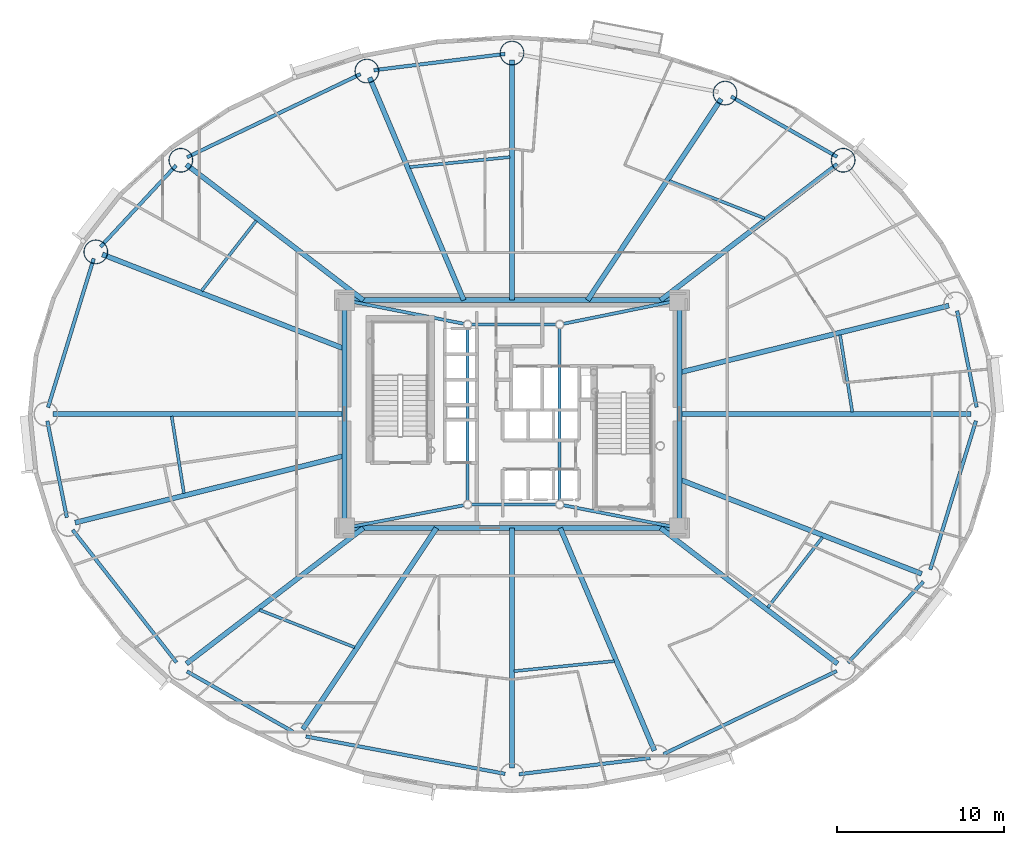
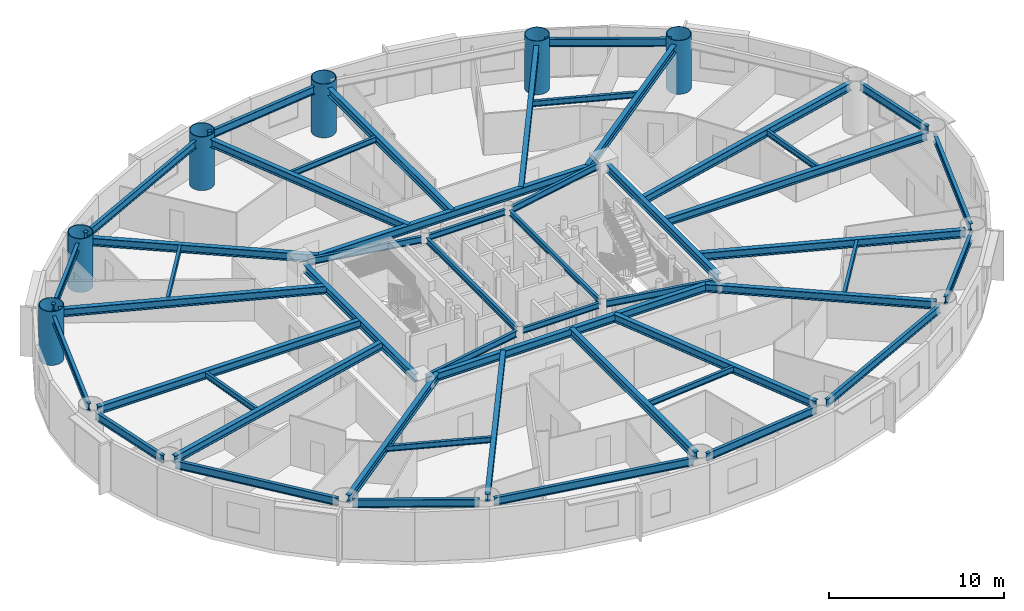
# One storey, part 3 of 17: 50 beams, 6 columns.
"""IFC4 building model written with IfcOpenShell, lengths in metres."""

from ifc_helpers import new_model, si_unit, direction, frame, origin, origin_2d, place, context, subcontext, project, spatial, hollow_circle, i_section, extrude, material, material_profile, profile_set, type_object, element, save


model = new_model("IFC4")

# Units and contexts
model_context = context("Model", 3, precision=1e-05, world=origin(), true_north=direction((0.0, 1.0)))
body_context = subcontext(model_context, "Body", "Model", "MODEL_VIEW")
ifc_project = project(units=[si_unit("LENGTHUNIT", "METRE"), si_unit("AREAUNIT", "SQUARE_METRE"), si_unit("VOLUMEUNIT", "CUBIC_METRE"), si_unit("PLANEANGLEUNIT", "RADIAN"), si_unit("MASSUNIT", "GRAM", prefix="KILO")], contexts=[model_context])

# Site, building, storey
site_placement = place(None, origin())
site = spatial("IfcSite", under=ifc_project, at=site_placement, CompositionType="ELEMENT")
building_placement = place(site_placement, origin())
building = spatial("IfcBuilding", under=site, at=building_placement, Name="Linh Dai School and Residence Tower", CompositionType="ELEMENT")
storey_placement = place(building_placement, frame((0.0, 0.0, 142.199951171875)))
storey = spatial("IfcBuildingStorey", under=building, at=storey_placement, Name="L34", CompositionType="ELEMENT", Elevation=142.199951171875)

# Columns
ifc_material = material(Name="Structural Steel S355JR", Category="steel")
ifc_material_profile_1 = material_profile(ifc_material, hollow_circle(Radius=0.72509765625, WallThickness=0.0419921875, at=origin_2d()), Name="CHS 1450x42")
ifc_profile_set_1 = profile_set([ifc_material_profile_1], Name="Structural Steel S355JR")
column_type = type_object("IfcColumnType", Name="COL-MC3", PredefinedType="COLUMN", material=ifc_profile_set_1)
for number, where, z_axis, x_axis, name in (
    (1, (55.772705078125, 42.155517578125, 0.0), (0.0, 0.0, 1.0), (1.0, 0.0, 0.0), "L34 Perimeter CFT Mega-Column MC03"),
    (2, (48.721923828125, 46.1650390625, 0.0), (0.0, 0.0, 1.0), (1.0, 0.0, 0.0), "L34 Perimeter CFT Mega-Column MC04"),
    (3, (36.0, 48.554931640625, 0.0), (0.0, 0.0, 1.0), (1.0, 0.0, 0.0), "L34 Perimeter CFT Mega-Column MC05"),
    (4, (27.33447265625, 47.480712890625, 0.0), (0.0, 0.0, 1.0), (1.0, 0.0, 0.0), "L34 Perimeter CFT Mega-Column MC06"),
    (5, (16.227294921875, 42.155517578125, 0.0), (0.0, 0.0, 1.0), (1.0, 0.0, 0.0), "L34 Perimeter CFT Mega-Column MC07"),
    (6, (11.15087890625, 36.6875, 0.0), (0.0, 0.0, 1.0), (1.0, 0.0, 0.0), "L34 Perimeter CFT Mega-Column MC08"),
):
    element("IfcColumn", number, at=place(storey_placement, frame(where, z_axis=z_axis, x_axis=x_axis)), inside=storey, type_object=column_type, Name=name, PredefinedType="COLUMN", context=body_context, shape_type="SweptSolid", body=[
        extrude(hollow_circle(Radius=0.72509765625, WallThickness=0.0419921875, at=origin_2d()), origin(), (0.0, 0.0, 1.0), 3.75),
    ])

# Beams
ifc_material_profile_2 = material_profile(ifc_material, i_section(OverallWidth=0.2099609375, OverallDepth=0.550048828125, WebThickness=0.010986328125, FlangeThickness=0.01708984375, FilletRadius=0.02392578125, at=origin_2d()), Name="IPE 550")
ifc_profile_set_2 = profile_set([ifc_material_profile_2], Name="Structural Steel S355JR")
beam_type_1 = type_object("IfcBeamType", Name="BM-RB55", PredefinedType="BEAM", material=ifc_profile_set_2)
beam_1_placement = place(storey_placement, frame((63.74169921875, 27.41162109375, 3.175048828125), z_axis=(-0.198441254313, 0.980112783605, 0.0), x_axis=(-0.980112783605, -0.198441254313, 0.0)))
element("IfcBeam", 7, at=beam_1_placement, inside=storey, type_object=beam_type_1, Name="L34 Perimeter Elliptical Ring Beam 01", PredefinedType="BEAM", context=body_context, shape_type="SweptSolid", body=[
    extrude(i_section(OverallWidth=0.2099609375, OverallDepth=0.550048828125, WebThickness=0.010986328125, FlangeThickness=0.01708984375, FilletRadius=0.02392578125, at=origin_2d()), origin(), (0.0, 0.0, 1.0), 5.874755859375),
])
beam_2_placement = place(storey_placement, frame((55.407470703125, 42.363037109375, 3.175048828125), z_axis=(-0.86927031475, 0.494337050902, 0.0), x_axis=(-0.494337050902, -0.86927031475, 0.0)))
element("IfcBeam", 8, at=beam_2_placement, inside=storey, type_object=beam_type_1, Name="L34 Perimeter Elliptical Ring Beam 03", PredefinedType="BEAM", context=body_context, shape_type="SweptSolid", body=[
    extrude(i_section(OverallWidth=0.2099609375, OverallDepth=0.550048828125, WebThickness=0.010986328125, FlangeThickness=0.01708984375, FilletRadius=0.02392578125, at=origin_2d()), origin(), (0.0, 0.0, 1.0), 7.270751953125),
])
beam_3_placement = place(storey_placement, frame((35.583251953125, 48.50341796875, 3.175048828125), z_axis=(-0.992399234854, -0.123059979933, 0.0), x_axis=(0.123059979933, -0.992399234854, 0.0)))
element("IfcBeam", 9, at=beam_3_placement, inside=storey, type_object=beam_type_1, Name="L34 Perimeter Elliptical Ring Beam 05", PredefinedType="BEAM", context=body_context, shape_type="SweptSolid", body=[
    extrude(i_section(OverallWidth=0.2099609375, OverallDepth=0.550048828125, WebThickness=0.010986328125, FlangeThickness=0.01708984375, FilletRadius=0.02392578125, at=origin_2d()), origin(), (0.0, 0.0, 1.0), 7.89208984375),
])
beam_4_placement = place(storey_placement, frame((26.955810546875, 47.299072265625, 3.175048828125), z_axis=(-0.901715153312, -0.432330640005, 0.0), x_axis=(0.432330640005, -0.901715153312, 0.0)))
element("IfcBeam", 10, at=beam_4_placement, inside=storey, type_object=beam_type_1, Name="L34 Perimeter Elliptical Ring Beam 06", PredefinedType="BEAM", context=body_context, shape_type="SweptSolid", body=[
    extrude(i_section(OverallWidth=0.2099609375, OverallDepth=0.550048828125, WebThickness=0.010986328125, FlangeThickness=0.01708984375, FilletRadius=0.02392578125, at=origin_2d()), origin(), (0.0, 0.0, 1.0), 11.477783203125),
])
beam_5_placement = place(storey_placement, frame((15.941650390625, 41.84765625, 3.175048828125), z_axis=(-0.680384623752, -0.732855213369, 0.0), x_axis=(0.732855213369, -0.680384623752, 0.0)))
element("IfcBeam", 11, at=beam_5_placement, inside=storey, type_object=beam_type_1, Name="L34 Perimeter Elliptical Ring Beam 07", PredefinedType="BEAM", context=body_context, shape_type="SweptSolid", body=[
    extrude(i_section(OverallWidth=0.2099609375, OverallDepth=0.550048828125, WebThickness=0.010986328125, FlangeThickness=0.01708984375, FilletRadius=0.02392578125, at=origin_2d()), origin(), (0.0, 0.0, 1.0), 6.62109375),
])
beam_6_placement = place(storey_placement, frame((11.027587890625, 36.2861328125, 3.175048828125), z_axis=(-0.29364097848, -0.95591577859, 0.0), x_axis=(0.95591577859, -0.29364097848, 0.0)))
element("IfcBeam", 12, at=beam_6_placement, inside=storey, type_object=beam_type_1, Name="L34 Perimeter Elliptical Ring Beam 08", PredefinedType="BEAM", context=body_context, shape_type="SweptSolid", body=[
    extrude(i_section(OverallWidth=0.2099609375, OverallDepth=0.550048828125, WebThickness=0.010986328125, FlangeThickness=0.01708984375, FilletRadius=0.02392578125, at=origin_2d()), origin(), (0.0, 0.0, 1.0), 9.29443359375),
])
beam_7_placement = place(storey_placement, frame((8.25830078125, 26.58837890625, 3.175048828125), z_axis=(0.198441254313, -0.980112783605, 0.0), x_axis=(0.980112783605, 0.198441254313, 0.0)))
element("IfcBeam", 13, at=beam_7_placement, inside=storey, type_object=beam_type_1, Name="L34 Perimeter Elliptical Ring Beam 09", PredefinedType="BEAM", context=body_context, shape_type="SweptSolid", body=[
    extrude(i_section(OverallWidth=0.2099609375, OverallDepth=0.550048828125, WebThickness=0.010986328125, FlangeThickness=0.01708984375, FilletRadius=0.02392578125, at=origin_2d()), origin(), (0.0, 0.0, 1.0), 5.874755859375),
])
beam_8_placement = place(storey_placement, frame((9.766357421875, 20.08837890625, 3.175048828125), z_axis=(0.616854830973, -0.787076945098, 0.0), x_axis=(0.787076945098, 0.616854830973, 0.0)))
element("IfcBeam", 14, at=beam_8_placement, inside=storey, type_object=beam_type_1, Name="L34 Perimeter Elliptical Ring Beam 10", PredefinedType="BEAM", context=body_context, shape_type="SweptSolid", body=[
    extrude(i_section(OverallWidth=0.2099609375, OverallDepth=0.550048828125, WebThickness=0.010986328125, FlangeThickness=0.01708984375, FilletRadius=0.02392578125, at=origin_2d()), origin(), (0.0, 0.0, 1.0), 10.053955078125),
])
beam_9_placement = place(storey_placement, frame((16.592529296875, 11.636962890625, 3.175048828125), z_axis=(0.86927031475, -0.494337050902, 0.0), x_axis=(0.494337050902, 0.86927031475, 0.0)))
element("IfcBeam", 15, at=beam_9_placement, inside=storey, type_object=beam_type_1, Name="L34 Perimeter Elliptical Ring Beam 11", PredefinedType="BEAM", context=body_context, shape_type="SweptSolid", body=[
    extrude(i_section(OverallWidth=0.2099609375, OverallDepth=0.550048828125, WebThickness=0.010986328125, FlangeThickness=0.01708984375, FilletRadius=0.02392578125, at=origin_2d()), origin(), (0.0, 0.0, 1.0), 7.270751953125),
])
beam_10_placement = place(storey_placement, frame((23.69091796875, 7.75732421875, 3.175048828125), z_axis=(0.982807507457, -0.184633158685, 0.0), x_axis=(0.184633158685, 0.982807507457, 0.0)))
element("IfcBeam", 16, at=beam_10_placement, inside=storey, type_object=beam_type_1, Name="L34 Perimeter Elliptical Ring Beam 12", PredefinedType="BEAM", context=body_context, shape_type="SweptSolid", body=[
    extrude(i_section(OverallWidth=0.2099609375, OverallDepth=0.550048828125, WebThickness=0.010986328125, FlangeThickness=0.01708984375, FilletRadius=0.02392578125, at=origin_2d()), origin(), (0.0, 0.0, 1.0), 12.104248046875),
])
beam_11_placement = place(storey_placement, frame((36.416748046875, 5.49658203125, 3.175048828125), z_axis=(0.992399234854, 0.123059979933, 0.0), x_axis=(-0.123059979933, 0.992399234854, 0.0)))
element("IfcBeam", 17, at=beam_11_placement, inside=storey, type_object=beam_type_1, Name="L34 Perimeter Elliptical Ring Beam 13", PredefinedType="BEAM", context=body_context, shape_type="SweptSolid", body=[
    extrude(i_section(OverallWidth=0.2099609375, OverallDepth=0.550048828125, WebThickness=0.010986328125, FlangeThickness=0.01708984375, FilletRadius=0.02392578125, at=origin_2d()), origin(), (0.0, 0.0, 1.0), 7.89208984375),
])
beam_12_placement = place(storey_placement, frame((45.044189453125, 6.700927734375, 3.175048828125), z_axis=(0.901715153312, 0.432330640005, 0.0), x_axis=(-0.432330640005, 0.901715153312, 0.0)))
element("IfcBeam", 18, at=beam_12_placement, inside=storey, type_object=beam_type_1, Name="L34 Perimeter Elliptical Ring Beam 14", PredefinedType="BEAM", context=body_context, shape_type="SweptSolid", body=[
    extrude(i_section(OverallWidth=0.2099609375, OverallDepth=0.550048828125, WebThickness=0.010986328125, FlangeThickness=0.01708984375, FilletRadius=0.02392578125, at=origin_2d()), origin(), (0.0, 0.0, 1.0), 11.477783203125),
])
beam_13_placement = place(storey_placement, frame((56.058349609375, 12.15234375, 3.175048828125), z_axis=(0.680384623752, 0.732855213369, 0.0), x_axis=(-0.732855213369, 0.680384623752, 0.0)))
element("IfcBeam", 19, at=beam_13_placement, inside=storey, type_object=beam_type_1, Name="L34 Perimeter Elliptical Ring Beam 15", PredefinedType="BEAM", context=body_context, shape_type="SweptSolid", body=[
    extrude(i_section(OverallWidth=0.2099609375, OverallDepth=0.550048828125, WebThickness=0.010986328125, FlangeThickness=0.01708984375, FilletRadius=0.02392578125, at=origin_2d()), origin(), (0.0, 0.0, 1.0), 6.62109375),
])
beam_14_placement = place(storey_placement, frame((60.972412109375, 17.7138671875, 3.175048828125), z_axis=(0.29364097848, 0.95591577859, 0.0), x_axis=(-0.95591577859, 0.29364097848, 0.0)))
element("IfcBeam", 20, at=beam_14_placement, inside=storey, type_object=beam_type_1, Name="L34 Perimeter Elliptical Ring Beam 16", PredefinedType="BEAM", context=body_context, shape_type="SweptSolid", body=[
    extrude(i_section(OverallWidth=0.2099609375, OverallDepth=0.550048828125, WebThickness=0.010986328125, FlangeThickness=0.01708984375, FilletRadius=0.02392578125, at=origin_2d()), origin(), (0.0, 0.0, 1.0), 9.29443359375),
])
ifc_material_profile_3 = material_profile(ifc_material, i_section(OverallWidth=0.300048828125, OverallDepth=0.550048828125, WebThickness=0.014892578125, FlangeThickness=0.029052734375, FilletRadius=0.027099609375, at=origin_2d()), Name="HEB 550")
ifc_profile_set_3 = profile_set([ifc_material_profile_3], Name="Structural Steel S355JR")
beam_type_2 = type_object("IfcBeamType", Name="BM-RG55", PredefinedType="BEAM", material=ifc_profile_set_3)
beam_15_placement = place(storey_placement, frame((26.419921875, 20.199951171875, 3.175048828125), z_axis=(1.0, 0.0, 0.0), x_axis=(0.0, 1.0, 0.0)))
element("IfcBeam", 21, at=beam_15_placement, inside=storey, type_object=beam_type_2, Name="L34 Core Perimeter Coupling Girder 1", PredefinedType="BEAM", context=body_context, shape_type="SweptSolid", body=[
    extrude(i_section(OverallWidth=0.300048828125, OverallDepth=0.550048828125, WebThickness=0.014892578125, FlangeThickness=0.029052734375, FilletRadius=0.027099609375, at=origin_2d()), origin(), (0.0, 0.0, 1.0), 19.16015625),
])
beam_16_placement = place(storey_placement, frame((46.0, 20.6201171875, 3.175048828125), z_axis=(0.0, 1.0, 0.0), x_axis=(-1.0, 0.0, 0.0)))
element("IfcBeam", 22, at=beam_16_placement, inside=storey, type_object=beam_type_2, Name="L34 Core Perimeter Coupling Girder 2", PredefinedType="BEAM", context=body_context, shape_type="SweptSolid", body=[
    extrude(i_section(OverallWidth=0.300048828125, OverallDepth=0.550048828125, WebThickness=0.014892578125, FlangeThickness=0.029052734375, FilletRadius=0.027099609375, at=origin_2d()), origin(), (0.0, 0.0, 1.0), 12.759765625),
])
beam_17_placement = place(storey_placement, frame((45.580078125, 33.800048828125, 3.175048828125), z_axis=(-1.0, 0.0, 0.0), x_axis=(0.0, -1.0, 0.0)))
element("IfcBeam", 23, at=beam_17_placement, inside=storey, type_object=beam_type_2, Name="L34 Core Perimeter Coupling Girder 3", PredefinedType="BEAM", context=body_context, shape_type="SweptSolid", body=[
    extrude(i_section(OverallWidth=0.300048828125, OverallDepth=0.550048828125, WebThickness=0.014892578125, FlangeThickness=0.029052734375, FilletRadius=0.027099609375, at=origin_2d()), origin(), (0.0, 0.0, 1.0), 19.16015625),
])
beam_18_placement = place(storey_placement, frame((26.0, 33.3798828125, 3.175048828125), z_axis=(0.0, -1.0, 0.0), x_axis=(1.0, 0.0, 0.0)))
element("IfcBeam", 24, at=beam_18_placement, inside=storey, type_object=beam_type_2, Name="L34 Core Perimeter Coupling Girder 4", PredefinedType="BEAM", context=body_context, shape_type="SweptSolid", body=[
    extrude(i_section(OverallWidth=0.300048828125, OverallDepth=0.550048828125, WebThickness=0.014892578125, FlangeThickness=0.029052734375, FilletRadius=0.027099609375, at=origin_2d()), origin(), (0.0, 0.0, 1.0), 12.759765625),
])
beam_19_placement = place(storey_placement, frame((46.0, 27.0, 3.175048828125), z_axis=(1.0, 0.0, 0.0), x_axis=(0.0, 1.0, 0.0)))
element("IfcBeam", 25, at=beam_19_placement, inside=storey, type_object=beam_type_2, Name="L34 Primary Radial Floor Girder 01", PredefinedType="BEAM", context=body_context, shape_type="SweptSolid", body=[
    extrude(i_section(OverallWidth=0.300048828125, OverallDepth=0.550048828125, WebThickness=0.014892578125, FlangeThickness=0.029052734375, FilletRadius=0.027099609375, at=origin_2d()), origin(), (0.0, 0.0, 1.0), 17.405029296875),
])
beam_20_placement = place(storey_placement, frame((46.0, 29.484130859375, 3.175048828125), z_axis=(0.970505338376, 0.241079630379, 0.0), x_axis=(-0.241079630379, 0.970505338376, 0.0)))
element("IfcBeam", 26, at=beam_20_placement, inside=storey, type_object=beam_type_2, Name="L34 Primary Radial Floor Girder 02", PredefinedType="BEAM", context=body_context, shape_type="SweptSolid", body=[
    extrude(i_section(OverallWidth=0.300048828125, OverallDepth=0.550048828125, WebThickness=0.014892578125, FlangeThickness=0.029052734375, FilletRadius=0.027099609375, at=origin_2d()), origin(), (0.0, 0.0, 1.0), 16.57373046875),
])
beam_21_placement = place(storey_placement, frame((44.87158203125, 33.800048828125, 3.175048828125), z_axis=(0.793678660795, 0.608337228352, 0.0), x_axis=(-0.608337228352, 0.793678660795, 0.0)))
element("IfcBeam", 27, at=beam_21_placement, inside=storey, type_object=beam_type_2, Name="L34 Primary Radial Floor Girder 03", PredefinedType="BEAM", context=body_context, shape_type="SweptSolid", body=[
    extrude(i_section(OverallWidth=0.300048828125, OverallDepth=0.550048828125, WebThickness=0.014892578125, FlangeThickness=0.029052734375, FilletRadius=0.027099609375, at=origin_2d()), origin(), (0.0, 0.0, 1.0), 13.314697265625),
])
beam_22_placement = place(storey_placement, frame((40.513916015625, 33.800048828125, 3.175048828125), z_axis=(0.553054392401, 0.833145148846, 0.0), x_axis=(-0.833145148846, 0.553054392401, 0.0)))
element("IfcBeam", 28, at=beam_22_placement, inside=storey, type_object=beam_type_2, Name="L34 Primary Radial Floor Girder 04", PredefinedType="BEAM", context=body_context, shape_type="SweptSolid", body=[
    extrude(i_section(OverallWidth=0.300048828125, OverallDepth=0.550048828125, WebThickness=0.014892578125, FlangeThickness=0.029052734375, FilletRadius=0.027099609375, at=origin_2d()), origin(), (0.0, 0.0, 1.0), 14.42138671875),
])
beam_23_placement = place(storey_placement, frame((36.0, 33.800048828125, 3.175048828125), z_axis=(0.0, 1.0, 0.0), x_axis=(-1.0, 0.0, 0.0)))
element("IfcBeam", 29, at=beam_23_placement, inside=storey, type_object=beam_type_2, Name="L34 Primary Radial Floor Girder 05", PredefinedType="BEAM", context=body_context, shape_type="SweptSolid", body=[
    extrude(i_section(OverallWidth=0.300048828125, OverallDepth=0.550048828125, WebThickness=0.014892578125, FlangeThickness=0.029052734375, FilletRadius=0.027099609375, at=origin_2d()), origin(), (0.0, 0.0, 1.0), 14.3349609375),
])
beam_24_placement = place(storey_placement, frame((33.122802734375, 33.800048828125, 3.175048828125), z_axis=(-0.389669233739, 0.920954878524, 0.0), x_axis=(-0.920954878524, -0.389669233739, 0.0)))
element("IfcBeam", 30, at=beam_24_placement, inside=storey, type_object=beam_type_2, Name="L34 Primary Radial Floor Girder 06", PredefinedType="BEAM", context=body_context, shape_type="SweptSolid", body=[
    extrude(i_section(OverallWidth=0.300048828125, OverallDepth=0.550048828125, WebThickness=0.014892578125, FlangeThickness=0.029052734375, FilletRadius=0.027099609375, at=origin_2d()), origin(), (0.0, 0.0, 1.0), 14.434814453125),
])
beam_25_placement = place(storey_placement, frame((27.12841796875, 33.800048828125, 3.175048828125), z_axis=(-0.793678660795, 0.608337228352, 0.0), x_axis=(-0.608337228352, -0.793678660795, 0.0)))
element("IfcBeam", 31, at=beam_25_placement, inside=storey, type_object=beam_type_2, Name="L34 Primary Radial Floor Girder 07", PredefinedType="BEAM", context=body_context, shape_type="SweptSolid", body=[
    extrude(i_section(OverallWidth=0.300048828125, OverallDepth=0.550048828125, WebThickness=0.014892578125, FlangeThickness=0.029052734375, FilletRadius=0.027099609375, at=origin_2d()), origin(), (0.0, 0.0, 1.0), 13.314697265625),
])
beam_26_placement = place(storey_placement, frame((26.0, 30.8984375, 3.175048828125), z_axis=(-0.931699338449, 0.363230426498, 0.0), x_axis=(-0.363230426498, -0.931699338449, 0.0)))
element("IfcBeam", 32, at=beam_26_placement, inside=storey, type_object=beam_type_2, Name="L34 Primary Radial Floor Girder 08", PredefinedType="BEAM", context=body_context, shape_type="SweptSolid", body=[
    extrude(i_section(OverallWidth=0.300048828125, OverallDepth=0.550048828125, WebThickness=0.014892578125, FlangeThickness=0.029052734375, FilletRadius=0.027099609375, at=origin_2d()), origin(), (0.0, 0.0, 1.0), 15.517578125),
])
beam_27_placement = place(storey_placement, frame((26.0, 27.0, 3.175048828125), z_axis=(-1.0, 0.0, 0.0), x_axis=(0.0, -1.0, 0.0)))
element("IfcBeam", 33, at=beam_27_placement, inside=storey, type_object=beam_type_2, Name="L34 Primary Radial Floor Girder 09", PredefinedType="BEAM", context=body_context, shape_type="SweptSolid", body=[
    extrude(i_section(OverallWidth=0.300048828125, OverallDepth=0.550048828125, WebThickness=0.014892578125, FlangeThickness=0.029052734375, FilletRadius=0.027099609375, at=origin_2d()), origin(), (0.0, 0.0, 1.0), 17.405029296875),
])
beam_28_placement = place(storey_placement, frame((26.0, 24.515869140625, 3.175048828125), z_axis=(-0.970505338376, -0.241079630379, 0.0), x_axis=(0.241079630379, -0.970505338376, 0.0)))
element("IfcBeam", 34, at=beam_28_placement, inside=storey, type_object=beam_type_2, Name="L34 Primary Radial Floor Girder 10", PredefinedType="BEAM", context=body_context, shape_type="SweptSolid", body=[
    extrude(i_section(OverallWidth=0.300048828125, OverallDepth=0.550048828125, WebThickness=0.014892578125, FlangeThickness=0.029052734375, FilletRadius=0.027099609375, at=origin_2d()), origin(), (0.0, 0.0, 1.0), 16.57373046875),
])
beam_29_placement = place(storey_placement, frame((27.12841796875, 20.199951171875, 3.175048828125), z_axis=(-0.793678660795, -0.608337228352, 0.0), x_axis=(0.608337228352, -0.793678660795, 0.0)))
element("IfcBeam", 35, at=beam_29_placement, inside=storey, type_object=beam_type_2, Name="L34 Primary Radial Floor Girder 11", PredefinedType="BEAM", context=body_context, shape_type="SweptSolid", body=[
    extrude(i_section(OverallWidth=0.300048828125, OverallDepth=0.550048828125, WebThickness=0.014892578125, FlangeThickness=0.029052734375, FilletRadius=0.027099609375, at=origin_2d()), origin(), (0.0, 0.0, 1.0), 13.314697265625),
])
beam_30_placement = place(storey_placement, frame((31.486083984375, 20.199951171875, 3.175048828125), z_axis=(-0.553054392401, -0.833145148846, 0.0), x_axis=(0.833145148846, -0.553054392401, 0.0)))
element("IfcBeam", 36, at=beam_30_placement, inside=storey, type_object=beam_type_2, Name="L34 Primary Radial Floor Girder 12", PredefinedType="BEAM", context=body_context, shape_type="SweptSolid", body=[
    extrude(i_section(OverallWidth=0.300048828125, OverallDepth=0.550048828125, WebThickness=0.014892578125, FlangeThickness=0.029052734375, FilletRadius=0.027099609375, at=origin_2d()), origin(), (0.0, 0.0, 1.0), 14.42138671875),
])
beam_31_placement = place(storey_placement, frame((36.0, 20.199951171875, 3.175048828125), z_axis=(0.0, -1.0, 0.0), x_axis=(1.0, 0.0, 0.0)))
element("IfcBeam", 37, at=beam_31_placement, inside=storey, type_object=beam_type_2, Name="L34 Primary Radial Floor Girder 13", PredefinedType="BEAM", context=body_context, shape_type="SweptSolid", body=[
    extrude(i_section(OverallWidth=0.300048828125, OverallDepth=0.550048828125, WebThickness=0.014892578125, FlangeThickness=0.029052734375, FilletRadius=0.027099609375, at=origin_2d()), origin(), (0.0, 0.0, 1.0), 14.3349609375),
])
beam_32_placement = place(storey_placement, frame((38.877197265625, 20.199951171875, 3.175048828125), z_axis=(0.389669233739, -0.920954878524, 0.0), x_axis=(0.920954878524, 0.389669233739, 0.0)))
element("IfcBeam", 38, at=beam_32_placement, inside=storey, type_object=beam_type_2, Name="L34 Primary Radial Floor Girder 14", PredefinedType="BEAM", context=body_context, shape_type="SweptSolid", body=[
    extrude(i_section(OverallWidth=0.300048828125, OverallDepth=0.550048828125, WebThickness=0.014892578125, FlangeThickness=0.029052734375, FilletRadius=0.027099609375, at=origin_2d()), origin(), (0.0, 0.0, 1.0), 14.434814453125),
])
beam_33_placement = place(storey_placement, frame((44.87158203125, 20.199951171875, 3.175048828125), z_axis=(0.793678660795, -0.608337228352, 0.0), x_axis=(0.608337228352, 0.793678660795, 0.0)))
element("IfcBeam", 39, at=beam_33_placement, inside=storey, type_object=beam_type_2, Name="L34 Primary Radial Floor Girder 15", PredefinedType="BEAM", context=body_context, shape_type="SweptSolid", body=[
    extrude(i_section(OverallWidth=0.300048828125, OverallDepth=0.550048828125, WebThickness=0.014892578125, FlangeThickness=0.029052734375, FilletRadius=0.027099609375, at=origin_2d()), origin(), (0.0, 0.0, 1.0), 13.314697265625),
])
beam_34_placement = place(storey_placement, frame((46.0, 23.1015625, 3.175048828125), z_axis=(0.931699338449, -0.363230426498, 0.0), x_axis=(0.363230426498, 0.931699338449, 0.0)))
element("IfcBeam", 40, at=beam_34_placement, inside=storey, type_object=beam_type_2, Name="L34 Primary Radial Floor Girder 16", PredefinedType="BEAM", context=body_context, shape_type="SweptSolid", body=[
    extrude(i_section(OverallWidth=0.300048828125, OverallDepth=0.550048828125, WebThickness=0.014892578125, FlangeThickness=0.029052734375, FilletRadius=0.027099609375, at=origin_2d()), origin(), (0.0, 0.0, 1.0), 15.517578125),
])
ifc_material_profile_4 = material_profile(ifc_material, i_section(OverallWidth=0.179931640625, OverallDepth=0.39990234375, WebThickness=0.008544921875, FlangeThickness=0.013427734375, FilletRadius=0.02099609375, at=origin_2d()), Name="IPE 400")
ifc_profile_set_4 = profile_set([ifc_material_profile_4], Name="Structural Steel S355JR")
beam_type_3 = type_object("IfcBeamType", Name="BM-SB40", PredefinedType="BEAM", material=ifc_profile_set_4)
beam_35_placement = place(storey_placement, frame((33.573974609375, 21.60009765625, 3.25), z_axis=(1.0, 0.0, 0.0), x_axis=(0.0, 1.0, 0.0)))
element("IfcBeam", 41, at=beam_35_placement, inside=storey, type_object=beam_type_3, Name="L34 Core Mast Pier Tie Beam 1", PredefinedType="BEAM", context=body_context, shape_type="SweptSolid", body=[
    extrude(i_section(OverallWidth=0.179931640625, OverallDepth=0.39990234375, WebThickness=0.008544921875, FlangeThickness=0.013427734375, FilletRadius=0.02099609375, at=origin_2d()), origin(), (0.0, 0.0, 1.0), 5.052001953125),
])
beam_36_placement = place(storey_placement, frame((38.85009765625, 21.823974609375, 3.25), z_axis=(0.0, 1.0, 0.0), x_axis=(-1.0, 0.0, 0.0)))
element("IfcBeam", 42, at=beam_36_placement, inside=storey, type_object=beam_type_3, Name="L34 Core Mast Pier Tie Beam 2", PredefinedType="BEAM", context=body_context, shape_type="SweptSolid", body=[
    extrude(i_section(OverallWidth=0.179931640625, OverallDepth=0.39990234375, WebThickness=0.008544921875, FlangeThickness=0.013427734375, FilletRadius=0.02099609375, at=origin_2d()), origin(), (0.0, 0.0, 1.0), 10.302001953125),
])
beam_37_placement = place(storey_placement, frame((38.6259765625, 32.35009765625, 3.25), z_axis=(-1.0, 0.0, 0.0), x_axis=(0.0, -1.0, 0.0)))
element("IfcBeam", 43, at=beam_37_placement, inside=storey, type_object=beam_type_3, Name="L34 Core Mast Pier Tie Beam 3", PredefinedType="BEAM", context=body_context, shape_type="SweptSolid", body=[
    extrude(i_section(OverallWidth=0.179931640625, OverallDepth=0.39990234375, WebThickness=0.008544921875, FlangeThickness=0.013427734375, FilletRadius=0.02099609375, at=origin_2d()), origin(), (0.0, 0.0, 1.0), 5.052001953125),
])
beam_38_placement = place(storey_placement, frame((33.35009765625, 32.1259765625, 3.25), z_axis=(0.0, -1.0, 0.0), x_axis=(1.0, 0.0, 0.0)))
element("IfcBeam", 44, at=beam_38_placement, inside=storey, type_object=beam_type_3, Name="L34 Core Mast Pier Tie Beam 4", PredefinedType="BEAM", context=body_context, shape_type="SweptSolid", body=[
    extrude(i_section(OverallWidth=0.179931640625, OverallDepth=0.39990234375, WebThickness=0.008544921875, FlangeThickness=0.013427734375, FilletRadius=0.02099609375, at=origin_2d()), origin(), (0.0, 0.0, 1.0), 10.302001953125),
])
beam_39_placement = place(storey_placement, frame((56.318115234375, 27.12841796875, 3.25), z_axis=(-0.15702217033, 0.987595077967, 0.0), x_axis=(-0.987595077967, -0.15702217033, 0.0)))
element("IfcBeam", 45, at=beam_39_placement, inside=storey, type_object=beam_type_3, Name="L34 Secondary Circumferential Floor Beam 01", PredefinedType="BEAM", context=body_context, shape_type="SweptSolid", body=[
    extrude(i_section(OverallWidth=0.179931640625, OverallDepth=0.39990234375, WebThickness=0.008544921875, FlangeThickness=0.013427734375, FilletRadius=0.02099609375, at=origin_2d()), origin(), (0.0, 0.0, 1.0), 4.661376953125),
])
beam_40_placement = place(storey_placement, frame((51.0732421875, 38.693603515625, 3.25), z_axis=(-0.930755385045, 0.365642466365, 0.0), x_axis=(-0.365642466365, -0.930755385045, 0.0)))
element("IfcBeam", 46, at=beam_40_placement, inside=storey, type_object=beam_type_3, Name="L34 Secondary Circumferential Floor Beam 02", PredefinedType="BEAM", context=body_context, shape_type="SweptSolid", body=[
    extrude(i_section(OverallWidth=0.179931640625, OverallDepth=0.39990234375, WebThickness=0.008544921875, FlangeThickness=0.013427734375, FilletRadius=0.02099609375, at=origin_2d()), origin(), (0.0, 0.0, 1.0), 6.10009765625),
])
beam_41_placement = place(storey_placement, frame((35.87060546875, 42.344970703125, 3.25), z_axis=(-0.995039604987, -0.099479568287, 0.0), x_axis=(0.099479568287, -0.995039604987, 0.0)))
element("IfcBeam", 47, at=beam_41_placement, inside=storey, type_object=beam_type_3, Name="L34 Secondary Circumferential Floor Beam 03", PredefinedType="BEAM", context=body_context, shape_type="SweptSolid", body=[
    extrude(i_section(OverallWidth=0.179931640625, OverallDepth=0.39990234375, WebThickness=0.008544921875, FlangeThickness=0.013427734375, FilletRadius=0.02099609375, at=origin_2d()), origin(), (0.0, 0.0, 1.0), 6.00537109375),
])
beam_42_placement = place(storey_placement, frame((20.725830078125, 38.543701171875, 3.25), z_axis=(-0.614322948635, -0.789054696951, 0.0), x_axis=(0.789054696951, -0.614322948635, 0.0)))
element("IfcBeam", 48, at=beam_42_placement, inside=storey, type_object=beam_type_3, Name="L34 Secondary Circumferential Floor Beam 04", PredefinedType="BEAM", context=body_context, shape_type="SweptSolid", body=[
    extrude(i_section(OverallWidth=0.179931640625, OverallDepth=0.39990234375, WebThickness=0.008544921875, FlangeThickness=0.013427734375, FilletRadius=0.02099609375, at=origin_2d()), origin(), (0.0, 0.0, 1.0), 5.303955078125),
])
beam_43_placement = place(storey_placement, frame((15.681884765625, 26.87158203125, 3.25), z_axis=(0.15702217033, -0.987595077967, 0.0), x_axis=(0.987595077967, 0.15702217033, 0.0)))
element("IfcBeam", 49, at=beam_43_placement, inside=storey, type_object=beam_type_3, Name="L34 Secondary Circumferential Floor Beam 05", PredefinedType="BEAM", context=body_context, shape_type="SweptSolid", body=[
    extrude(i_section(OverallWidth=0.179931640625, OverallDepth=0.39990234375, WebThickness=0.008544921875, FlangeThickness=0.013427734375, FilletRadius=0.02099609375, at=origin_2d()), origin(), (0.0, 0.0, 1.0), 4.661376953125),
])
beam_44_placement = place(storey_placement, frame((20.9267578125, 15.306396484375, 3.25), z_axis=(0.930755385045, -0.365642466365, 0.0), x_axis=(0.365642466365, 0.930755385045, 0.0)))
element("IfcBeam", 50, at=beam_44_placement, inside=storey, type_object=beam_type_3, Name="L34 Secondary Circumferential Floor Beam 06", PredefinedType="BEAM", context=body_context, shape_type="SweptSolid", body=[
    extrude(i_section(OverallWidth=0.179931640625, OverallDepth=0.39990234375, WebThickness=0.008544921875, FlangeThickness=0.013427734375, FilletRadius=0.02099609375, at=origin_2d()), origin(), (0.0, 0.0, 1.0), 6.10009765625),
])
beam_45_placement = place(storey_placement, frame((36.12939453125, 11.655029296875, 3.25), z_axis=(0.995039604987, 0.099479568287, 0.0), x_axis=(-0.099479568287, 0.995039604987, 0.0)))
element("IfcBeam", 51, at=beam_45_placement, inside=storey, type_object=beam_type_3, Name="L34 Secondary Circumferential Floor Beam 07", PredefinedType="BEAM", context=body_context, shape_type="SweptSolid", body=[
    extrude(i_section(OverallWidth=0.179931640625, OverallDepth=0.39990234375, WebThickness=0.008544921875, FlangeThickness=0.013427734375, FilletRadius=0.02099609375, at=origin_2d()), origin(), (0.0, 0.0, 1.0), 6.00537109375),
])
beam_46_placement = place(storey_placement, frame((51.274169921875, 15.456298828125, 3.25), z_axis=(0.614322948635, 0.789054696951, 0.0), x_axis=(-0.789054696951, 0.614322948635, 0.0)))
element("IfcBeam", 52, at=beam_46_placement, inside=storey, type_object=beam_type_3, Name="L34 Secondary Circumferential Floor Beam 08", PredefinedType="BEAM", context=body_context, shape_type="SweptSolid", body=[
    extrude(i_section(OverallWidth=0.179931640625, OverallDepth=0.39990234375, WebThickness=0.008544921875, FlangeThickness=0.013427734375, FilletRadius=0.02099609375, at=origin_2d()), origin(), (0.0, 0.0, 1.0), 5.303955078125),
])
ifc_material_profile_5 = material_profile(ifc_material, i_section(OverallWidth=0.18994140625, OverallDepth=0.449951171875, WebThickness=0.009521484375, FlangeThickness=0.0146484375, FilletRadius=0.02099609375, at=origin_2d()), Name="IPE 450")
ifc_profile_set_5 = profile_set([ifc_material_profile_5], Name="Structural Steel S355JR")
beam_type_4 = type_object("IfcBeamType", Name="BM-SB45", PredefinedType="BEAM", material=ifc_profile_set_5)
beam_47_placement = place(storey_placement, frame((26.41259765625, 20.278564453125, 3.22509765625), z_axis=(0.982337003886, 0.187120311019, 0.0), x_axis=(-0.187120311019, 0.982337003886, 0.0)))
element("IfcBeam", 53, at=beam_47_placement, inside=storey, type_object=beam_type_4, Name="L34 Core Corner-to-Mast Pier Beam 1", PredefinedType="BEAM", context=body_context, shape_type="SweptSolid", body=[
    extrude(i_section(OverallWidth=0.18994140625, OverallDepth=0.449951171875, WebThickness=0.009521484375, FlangeThickness=0.0146484375, FilletRadius=0.02099609375, at=origin_2d()), origin(), (0.0, 0.0, 1.0), 6.838134765625),
])
beam_48_placement = place(storey_placement, frame((45.587890625, 20.28076171875, 3.22509765625), z_axis=(-0.981368554414, 0.192134745446, 0.0), x_axis=(-0.192134745446, -0.981368554414, 0.0)))
element("IfcBeam", 54, at=beam_48_placement, inside=storey, type_object=beam_type_4, Name="L34 Core Corner-to-Mast Pier Beam 2", PredefinedType="BEAM", context=body_context, shape_type="SweptSolid", body=[
    extrude(i_section(OverallWidth=0.18994140625, OverallDepth=0.449951171875, WebThickness=0.009521484375, FlangeThickness=0.0146484375, FilletRadius=0.02099609375, at=origin_2d()), origin(), (0.0, 0.0, 1.0), 6.641845703125),
])
beam_49_placement = place(storey_placement, frame((45.58837890625, 33.716552734375, 3.22509765625), z_axis=(-0.980049140776, -0.19875533116, 0.0), x_axis=(0.19875533116, -0.980049140776, 0.0)))
element("IfcBeam", 55, at=beam_49_placement, inside=storey, type_object=beam_type_4, Name="L34 Core Corner-to-Mast Pier Beam 3", PredefinedType="BEAM", context=body_context, shape_type="SweptSolid", body=[
    extrude(i_section(OverallWidth=0.18994140625, OverallDepth=0.449951171875, WebThickness=0.009521484375, FlangeThickness=0.0146484375, FilletRadius=0.02099609375, at=origin_2d()), origin(), (0.0, 0.0, 1.0), 6.651611328125),
])
beam_50_placement = place(storey_placement, frame((26.412109375, 33.71875, 3.22509765625), z_axis=(0.981087482999, -0.193564848828, 0.0), x_axis=(0.193564848828, 0.981087482999, 0.0)))
element("IfcBeam", 56, at=beam_50_placement, inside=storey, type_object=beam_type_4, Name="L34 Core Corner-to-Mast Pier Beam 4", PredefinedType="BEAM", context=body_context, shape_type="SweptSolid", body=[
    extrude(i_section(OverallWidth=0.18994140625, OverallDepth=0.449951171875, WebThickness=0.009521484375, FlangeThickness=0.0146484375, FilletRadius=0.02099609375, at=origin_2d()), origin(), (0.0, 0.0, 1.0), 6.847412109375),
])

save(model, "model.ifc")
